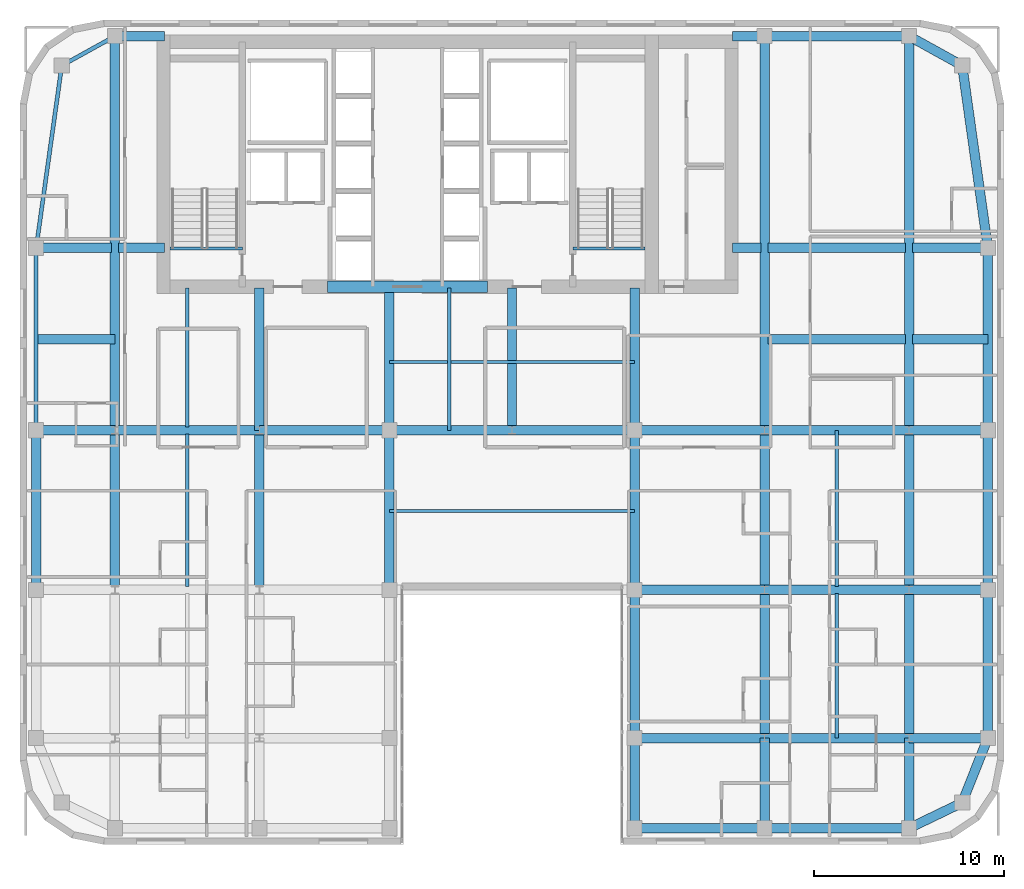
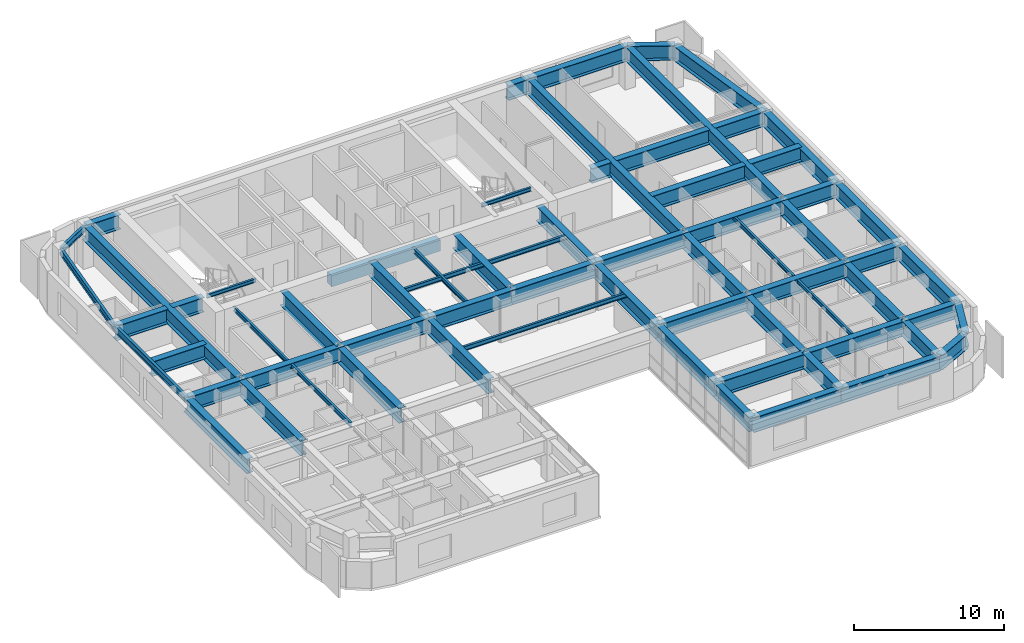
# One storey, part 5 of 14: 67 beams.
"""IFC4 building model written with IfcOpenShell, lengths in metres."""

from ifc_helpers import new_model, si_unit, direction, frame, origin, origin_2d, place, context, subcontext, project, spatial, rectangle, i_section, extrude, source, transform, mapped, material, material_profile, profile_set, type_object, type_shapes, element, save


model = new_model("IFC4")

# Units and contexts
model_context = context("Model", 3, precision=1e-05, world=origin(), true_north=direction((0.0, 1.0)))
body_context = subcontext(model_context, "Body", "Model", "MODEL_VIEW")
ifc_project = project(units=[si_unit("LENGTHUNIT", "METRE"), si_unit("AREAUNIT", "SQUARE_METRE"), si_unit("VOLUMEUNIT", "CUBIC_METRE"), si_unit("PLANEANGLEUNIT", "RADIAN"), si_unit("MASSUNIT", "GRAM", prefix="KILO")], contexts=[model_context])

# Site, building, storey
site_placement = place(None, origin())
site = spatial("IfcSite", under=ifc_project, at=site_placement, CompositionType="ELEMENT")
building_placement = place(site_placement, origin())
building = spatial("IfcBuilding", under=site, at=building_placement, Name="Tolvann Quenvar Hotel", CompositionType="ELEMENT")
storey_placement = place(building_placement, frame((0.0, 0.0, 150.60009765625)))
storey = spatial("IfcBuildingStorey", under=building, at=storey_placement, Name="L39", CompositionType="ELEMENT", Elevation=150.60009765625)

# Beams
ifc_material_1 = material(Name="Concrete N50 (50 MPa)", Category="concrete")
ifc_material_profile_1 = material_profile(ifc_material_1, rectangle(XDim=0.60009765625, YDim=0.89990234375, at=origin_2d()), Name="RC600x900")
ifc_profile_set_1 = profile_set([ifc_material_profile_1], Name="Concrete N50 (50 MPa)")
beam_type_1 = type_object("IfcBeamType", Name="BM_LINT_RC600x900", PredefinedType="LINTEL", material=ifc_profile_set_1)
shared_shape_1 = source(origin(), body_context, "Body", "SweptSolid", [
    extrude(rectangle(XDim=0.60009765625, YDim=0.89990234375, at=origin_2d()), origin(), (0.0, 0.0, 1.0), 8.39990234375),
])
type_shapes(beam_type_1, [shared_shape_1])
beam_1_placement = place(storey_placement, frame((18.800048828125, 31.949951171875, 2.919921875), z_axis=(1.0, 0.0, 0.0), x_axis=(0.0, 1.0, 0.0)))
element("IfcBeam", 1, at=beam_1_placement, inside=storey, type_object=beam_type_1, Name="Core Coupling Lintel Beam (L39)", PredefinedType="LINTEL", context=body_context, shape_type="MappedRepresentation", body=[
    mapped(shared_shape_1, transform((0.0, 0.0, 0.0), x_axis=(1.0, 0.0, 0.0), y_axis=(0.0, 1.0, 0.0), z_axis=(0.0, 0.0, 1.0), scale=1.0)),
])
ifc_material_2 = material(Name="Steel Grade 350", Category="steel")
ifc_material_profile_2 = material_profile(ifc_material_2, i_section(OverallWidth=0.5, OverallDepth=1.199951171875, WebThickness=0.01611328125, FlangeThickness=0.0400390625, at=origin_2d()), Name="1200WB455")
ifc_profile_set_2 = profile_set([ifc_material_profile_2], Name="Steel Grade 350")
beam_type_2 = type_object("IfcBeamType", Name="BM_TG_1200WB455", PredefinedType="USERDEFINED", material=ifc_profile_set_2)
shared_shape_2 = source(origin(), body_context, "Body", "SweptSolid", [
    extrude(i_section(OverallWidth=0.5, OverallDepth=1.199951171875, WebThickness=0.01611328125, FlangeThickness=0.0400390625, at=origin_2d()), origin(), (0.0, 0.0, 1.0), 7.5),
])
for number, where, z_axis, x_axis, name in (
    (2, (15.199951171875, 24.39990234375, 2.77001953125), (0.0, 1.0, 0.0), (-1.0, 0.0, 0.0), "BM-L39-CORE-D5"),
    (3, (22.050048828125, 24.39990234375, 2.77001953125), (0.0, 1.0, 0.0), (-1.0, 0.0, 0.0), "BM-L39-CORE-E5"),
    (4, (34.949951171875, 24.39990234375, 2.77001953125), (0.0, 1.0, 0.0), (-1.0, 0.0, 0.0), "BM-L39-CORE-F5"),
    (5, (28.5, 24.39990234375, 2.77001953125), (0.0, 1.0, 0.0), (-1.0, 0.0, 0.0), "BM-L39-CORE-M5"),
):
    element("IfcBeam", number, at=place(storey_placement, frame(where, z_axis=z_axis, x_axis=x_axis)), inside=storey, type_object=beam_type_2, Name=name, ObjectType="TRANSFER GIRDER", PredefinedType="USERDEFINED", context=body_context, shape_type="MappedRepresentation", body=[
        mapped(shared_shape_2, transform((0.0, 0.0, 0.0), x_axis=(1.0, 0.0, 0.0), y_axis=(0.0, 1.0, 0.0), z_axis=(0.0, 0.0, 1.0), scale=1.0)),
    ])
shared_shape_3 = source(origin(), body_context, "Body", "SweptSolid", [
    extrude(i_section(OverallWidth=0.5, OverallDepth=1.199951171875, WebThickness=0.01611328125, FlangeThickness=0.0400390625, at=origin_2d()), origin(), (0.0, 0.0, 1.0), 7.599853515625),
])
for number, where, z_axis, x_axis, name in (
    (6, (41.800048828125, 3.449951171875, 2.77001953125), (1.0, 0.0, 0.0), (0.0, 1.0, 0.0), "BM-L39-EW-2-H2-I2"),
    (7, (41.800048828125, 8.199951171875, 2.77001953125), (1.0, 0.0, 0.0), (0.0, 1.0, 0.0), "BM-L39-EW-3-H3-I3"),
    (8, (41.800048828125, 16.0, 2.77001953125), (1.0, 0.0, 0.0), (0.0, 1.0, 0.0), "BM-L39-EW-4-H4-I4"),
    (9, (7.60009765625, 24.39990234375, 2.77001953125), (1.0, 0.0, 0.0), (0.0, 1.0, 0.0), "BM-L39-EW-5-C5-D5"),
    (10, (41.800048828125, 24.39990234375, 2.77001953125), (1.0, 0.0, 0.0), (0.0, 1.0, 0.0), "BM-L39-EW-5-H5-I5"),
    (11, (49.39990234375, 45.14990234375, 2.77001953125), (-1.0, 0.0, 0.0), (0.0, -1.0, 0.0), "BM-L39-FLK-E4"),
):
    element("IfcBeam", number, at=place(storey_placement, frame(where, z_axis=z_axis, x_axis=x_axis)), inside=storey, type_object=beam_type_2, Name=name, ObjectType="TRANSFER GIRDER", PredefinedType="USERDEFINED", context=body_context, shape_type="MappedRepresentation", body=[
        mapped(shared_shape_3, transform((0.0, 0.0, 0.0), x_axis=(1.0, 0.0, 0.0), y_axis=(0.0, 1.0, 0.0), z_axis=(0.0, 0.0, 1.0), scale=1.0)),
    ])
shared_shape_4 = source(origin(), body_context, "Body", "SweptSolid", [
    extrude(i_section(OverallWidth=0.5, OverallDepth=1.199951171875, WebThickness=0.01611328125, FlangeThickness=0.0400390625, at=origin_2d()), origin(), (0.0, 0.0, 1.0), 6.449951171875),
])
for number, where, z_axis, x_axis, name in (
    (12, (22.050048828125, 24.39990234375, 2.77001953125), (1.0, 0.0, 0.0), (0.0, 1.0, 0.0), "BM-L39-EW-5-E5-M5"),
    (13, (28.5, 24.39990234375, 2.77001953125), (1.0, 0.0, 0.0), (0.0, 1.0, 0.0), "BM-L39-EW-5-M5-F5"),
):
    element("IfcBeam", number, at=place(storey_placement, frame(where, z_axis=z_axis, x_axis=x_axis)), inside=storey, type_object=beam_type_2, Name=name, ObjectType="TRANSFER GIRDER", PredefinedType="USERDEFINED", context=body_context, shape_type="MappedRepresentation", body=[
        mapped(shared_shape_4, transform((0.0, 0.0, 0.0), x_axis=(1.0, 0.0, 0.0), y_axis=(0.0, 1.0, 0.0), z_axis=(0.0, 0.0, 1.0), scale=1.0)),
    ])
shared_shape_5 = source(origin(), body_context, "Body", "SweptSolid", [
    extrude(i_section(OverallWidth=0.5, OverallDepth=1.199951171875, WebThickness=0.01611328125, FlangeThickness=0.0400390625, at=origin_2d()), origin(), (0.0, 0.0, 1.0), 9.60009765625),
])
beam_2_placement = place(storey_placement, frame((53.550048828125, 24.39990234375, 2.77001953125), z_axis=(0.0, 1.0, 0.0), x_axis=(-1.0, 0.0, 0.0)))
element("IfcBeam", 14, at=beam_2_placement, inside=storey, type_object=beam_type_2, Name="BM-L39-FLK-E1", ObjectType="TRANSFER GIRDER", PredefinedType="USERDEFINED", context=body_context, shape_type="MappedRepresentation", body=[
    mapped(shared_shape_5, transform((0.0, 0.0, 0.0), x_axis=(1.0, 0.0, 0.0), y_axis=(0.0, 1.0, 0.0), z_axis=(0.0, 0.0, 1.0), scale=1.0)),
])
ifc_material_profile_3 = material_profile(ifc_material_2, i_section(OverallWidth=0.208984375, OverallDepth=0.528076171875, WebThickness=0.009521484375, FlangeThickness=0.01318359375, FilletRadius=0.013916015625, at=origin_2d()), Name="530UB82")
ifc_profile_set_3 = profile_set([ifc_material_profile_3], Name="Steel Grade 350")
beam_type_3 = type_object("IfcBeamType", Name="BM_SPAND_530UB82", PredefinedType="SPANDREL", material=ifc_profile_set_3)
shared_shape_6 = source(origin(), body_context, "Body", "SweptSolid", [
    extrude(i_section(OverallWidth=0.208984375, OverallDepth=0.528076171875, WebThickness=0.009521484375, FlangeThickness=0.01318359375, FilletRadius=0.013916015625, at=origin_2d()), origin(), (0.0, 0.0, 1.0), 9.60009765625),
])
beam_3_placement = place(storey_placement, frame((3.449951171875, 24.39990234375, 3.10595703125), z_axis=(0.0, 1.0, 0.0), x_axis=(-1.0, 0.0, 0.0)))
element("IfcBeam", 15, at=beam_3_placement, inside=storey, type_object=beam_type_3, Name="BM-L39-FLK-W1", PredefinedType="SPANDREL", context=body_context, shape_type="MappedRepresentation", body=[
    mapped(shared_shape_6, transform((0.0, 0.0, 0.0), x_axis=(1.0, 0.0, 0.0), y_axis=(0.0, 1.0, 0.0), z_axis=(0.0, 0.0, 1.0), scale=1.0)),
])
shared_shape_7 = source(origin(), body_context, "Body", "SweptSolid", [
    extrude(i_section(OverallWidth=0.5, OverallDepth=1.199951171875, WebThickness=0.01611328125, FlangeThickness=0.0400390625, at=origin_2d()), origin(), (0.0, 0.0, 1.0), 20.75),
])
for number, where, z_axis, x_axis, name in (
    (16, (7.60009765625, 24.39990234375, 2.77001953125), (0.0, 1.0, 0.0), (-1.0, 0.0, 0.0), "BM-L39-FLK-WC"),
    (17, (41.800048828125, 24.39990234375, 2.77001953125), (0.0, 1.0, 0.0), (-1.0, 0.0, 0.0), "BM-L39-FLK-EH"),
    (18, (49.39990234375, 24.39990234375, 2.77001953125), (0.0, 1.0, 0.0), (-1.0, 0.0, 0.0), "BM-L39-FLK-EI"),
):
    element("IfcBeam", number, at=place(storey_placement, frame(where, z_axis=z_axis, x_axis=x_axis)), inside=storey, type_object=beam_type_2, Name=name, ObjectType="TRANSFER GIRDER", PredefinedType="USERDEFINED", context=body_context, shape_type="MappedRepresentation", body=[
        mapped(shared_shape_7, transform((0.0, 0.0, 0.0), x_axis=(1.0, 0.0, 0.0), y_axis=(0.0, 1.0, 0.0), z_axis=(0.0, 0.0, 1.0), scale=1.0)),
    ])
shared_shape_8 = source(origin(), body_context, "Body", "SweptSolid", [
    extrude(i_section(OverallWidth=0.5, OverallDepth=1.199951171875, WebThickness=0.01611328125, FlangeThickness=0.0400390625, at=origin_2d()), origin(), (0.0, 0.0, 1.0), 2.419921875),
])
beam_4_placement = place(storey_placement, frame((7.780029296875, 34.0, 2.77001953125), z_axis=(1.0, 0.0, 0.0), x_axis=(0.0, 1.0, 0.0)))
element("IfcBeam", 19, at=beam_4_placement, inside=storey, type_object=beam_type_2, Name="BM-L39-CTW-MID2", ObjectType="TRANSFER GIRDER", PredefinedType="USERDEFINED", context=body_context, shape_type="MappedRepresentation", body=[
    mapped(shared_shape_8, transform((0.0, 0.0, 0.0), x_axis=(1.0, 0.0, 0.0), y_axis=(0.0, 1.0, 0.0), z_axis=(0.0, 0.0, 1.0), scale=1.0)),
])
shared_shape_9 = source(origin(), body_context, "Body", "SweptSolid", [
    extrude(i_section(OverallWidth=0.5, OverallDepth=1.199951171875, WebThickness=0.01611328125, FlangeThickness=0.0400390625, at=origin_2d()), origin(), (0.0, 0.0, 1.0), 2.599853515625),
])
beam_5_placement = place(storey_placement, frame((7.60009765625, 45.14990234375, 2.77001953125), z_axis=(1.0, 0.0, 0.0), x_axis=(0.0, 1.0, 0.0)))
element("IfcBeam", 20, at=beam_5_placement, inside=storey, type_object=beam_type_2, Name="BM-L39-CTW-CN", ObjectType="TRANSFER GIRDER", PredefinedType="USERDEFINED", context=body_context, shape_type="MappedRepresentation", body=[
    mapped(shared_shape_9, transform((0.0, 0.0, 0.0), x_axis=(1.0, 0.0, 0.0), y_axis=(0.0, 1.0, 0.0), z_axis=(0.0, 0.0, 1.0), scale=1.0)),
])
shared_shape_10 = source(origin(), body_context, "Body", "SweptSolid", [
    extrude(i_section(OverallWidth=0.5, OverallDepth=1.199951171875, WebThickness=0.01611328125, FlangeThickness=0.0400390625, at=origin_2d()), origin(), (0.0, 0.0, 1.0), 1.699951171875),
])
beam_6_placement = place(storey_placement, frame((40.10009765625, 45.14990234375, 2.77001953125), z_axis=(1.0, 0.0, 0.0), x_axis=(0.0, 1.0, 0.0)))
element("IfcBeam", 21, at=beam_6_placement, inside=storey, type_object=beam_type_2, Name="BM-L39-CTE-HN", ObjectType="TRANSFER GIRDER", PredefinedType="USERDEFINED", context=body_context, shape_type="MappedRepresentation", body=[
    mapped(shared_shape_10, transform((0.0, 0.0, 0.0), x_axis=(1.0, 0.0, 0.0), y_axis=(0.0, 1.0, 0.0), z_axis=(0.0, 0.0, 1.0), scale=1.0)),
])
shared_shape_11 = source(origin(), body_context, "Body", "SweptSolid", [
    extrude(i_section(OverallWidth=0.5, OverallDepth=1.199951171875, WebThickness=0.01611328125, FlangeThickness=0.0400390625, at=origin_2d()), origin(), (0.0, 0.0, 1.0), 1.52001953125),
])
beam_7_placement = place(storey_placement, frame((40.10009765625, 34.0, 2.77001953125), z_axis=(1.0, 0.0, 0.0), x_axis=(0.0, 1.0, 0.0)))
element("IfcBeam", 22, at=beam_7_placement, inside=storey, type_object=beam_type_2, Name="BM-L39-CTE-JD6A", ObjectType="TRANSFER GIRDER", PredefinedType="USERDEFINED", context=body_context, shape_type="MappedRepresentation", body=[
    mapped(shared_shape_11, transform((0.0, 0.0, 0.0), x_axis=(1.0, 0.0, 0.0), y_axis=(0.0, 1.0, 0.0), z_axis=(0.0, 0.0, 1.0), scale=1.0)),
])
shared_shape_12 = source(origin(), body_context, "Body", "SweptSolid", [
    extrude(i_section(OverallWidth=0.5, OverallDepth=1.199951171875, WebThickness=0.01611328125, FlangeThickness=0.0400390625, at=origin_2d()), origin(), (0.0, 0.0, 1.0), 7.239990234375),
])
for number, where, z_axis, x_axis, name in (
    (23, (41.97998046875, 34.0, 2.77001953125), (1.0, 0.0, 0.0), (0.0, 1.0, 0.0), "BM-L39-CTE-JD6B"),
    (24, (41.97998046875, 29.199951171875, 2.77001953125), (1.0, 0.0, 0.0), (0.0, 1.0, 0.0), "BM-L39-EW-HI29"),
):
    element("IfcBeam", number, at=place(storey_placement, frame(where, z_axis=z_axis, x_axis=x_axis)), inside=storey, type_object=beam_type_2, Name=name, ObjectType="TRANSFER GIRDER", PredefinedType="USERDEFINED", context=body_context, shape_type="MappedRepresentation", body=[
        mapped(shared_shape_12, transform((0.0, 0.0, 0.0), x_axis=(1.0, 0.0, 0.0), y_axis=(0.0, 1.0, 0.0), z_axis=(0.0, 0.0, 1.0), scale=1.0)),
    ])
ifc_material_profile_4 = material_profile(ifc_material_2, i_section(OverallWidth=0.166015625, OverallDepth=0.306884765625, WebThickness=0.006591796875, FlangeThickness=0.01171875, FilletRadius=0.011474609375, at=origin_2d()), Name="310UB46")
ifc_profile_set_4 = profile_set([ifc_material_profile_4], Name="Steel Grade 350")
beam_type_4 = type_object("IfcBeamType", Name="BM_JOIST_310UB46", PredefinedType="JOIST", material=ifc_profile_set_4)
shared_shape_13 = source(origin(), body_context, "Body", "SweptSolid", [
    extrude(i_section(OverallWidth=0.166015625, OverallDepth=0.306884765625, WebThickness=0.006591796875, FlangeThickness=0.01171875, FilletRadius=0.011474609375, at=origin_2d()), origin(), (0.0, 0.0, 1.0), 3.800048828125),
])
type_shapes(beam_type_4, [shared_shape_13])
for number, where, z_axis, x_axis, name in (
    (25, (10.5, 33.97998046875, 3.21630859375), (1.0, 0.0, 0.0), (0.0, 1.0, 0.0), "BM-HDR-STC1-L40"),
    (26, (31.699951171875, 33.97998046875, 3.21630859375), (1.0, 0.0, 0.0), (0.0, 1.0, 0.0), "BM-HDR-STC2-L40"),
):
    element("IfcBeam", number, at=place(storey_placement, frame(where, z_axis=z_axis, x_axis=x_axis)), inside=storey, type_object=beam_type_4, Name=name, PredefinedType="JOIST", context=body_context, shape_type="MappedRepresentation", body=[
        mapped(shared_shape_13, transform((0.0, 0.0, 0.0), x_axis=(1.0, 0.0, 0.0), y_axis=(0.0, 1.0, 0.0), z_axis=(0.0, 0.0, 1.0), scale=1.0)),
    ])
shared_shape_14 = source(origin(), body_context, "Body", "SweptSolid", [
    extrude(i_section(OverallWidth=0.5, OverallDepth=1.199951171875, WebThickness=0.01611328125, FlangeThickness=0.0400390625, at=origin_2d()), origin(), (0.0, 0.0, 1.0), 4.150146484375),
])
for number, where, z_axis, x_axis, name in (
    (27, (49.39990234375, 8.199951171875, 2.77001953125), (1.0, 0.0, 0.0), (0.0, 1.0, 0.0), "BM-L39-EW-3-I3-J3"),
    (28, (49.39990234375, 16.0, 2.77001953125), (1.0, 0.0, 0.0), (0.0, 1.0, 0.0), "BM-L39-EW-4-I4-J4"),
    (29, (3.449951171875, 24.39990234375, 2.77001953125), (1.0, 0.0, 0.0), (0.0, 1.0, 0.0), "BM-L39-EW-5-B5-C5"),
    (30, (49.39990234375, 24.39990234375, 2.77001953125), (1.0, 0.0, 0.0), (0.0, 1.0, 0.0), "BM-L39-EW-5-I5-J5"),
    (31, (3.449951171875, 29.199951171875, 2.77001953125), (1.0, 0.0, 0.0), (0.0, 1.0, 0.0), "BM-L39-EW-BC29"),
):
    element("IfcBeam", number, at=place(storey_placement, frame(where, z_axis=z_axis, x_axis=x_axis)), inside=storey, type_object=beam_type_2, Name=name, ObjectType="TRANSFER GIRDER", PredefinedType="USERDEFINED", context=body_context, shape_type="MappedRepresentation", body=[
        mapped(shared_shape_14, transform((0.0, 0.0, 0.0), x_axis=(1.0, 0.0, 0.0), y_axis=(0.0, 1.0, 0.0), z_axis=(0.0, 0.0, 1.0), scale=1.0)),
    ])
shared_shape_15 = source(origin(), body_context, "Body", "SweptSolid", [
    extrude(i_section(OverallWidth=0.5, OverallDepth=1.199951171875, WebThickness=0.01611328125, FlangeThickness=0.0400390625, at=origin_2d()), origin(), (0.0, 0.0, 1.0), 7.800048828125),
])
for number, where, z_axis, x_axis, name in (
    (32, (34.949951171875, 8.199951171875, 2.77001953125), (0.0, 1.0, 0.0), (-1.0, 0.0, 0.0), "BM-L39-NS-F3-F4"),
    (33, (41.800048828125, 8.199951171875, 2.77001953125), (0.0, 1.0, 0.0), (-1.0, 0.0, 0.0), "BM-L39-NS-H3-H4"),
    (34, (49.39990234375, 8.199951171875, 2.77001953125), (0.0, 1.0, 0.0), (-1.0, 0.0, 0.0), "BM-L39-NS-I3-I4"),
    (35, (53.550048828125, 8.199951171875, 2.77001953125), (0.0, 1.0, 0.0), (-1.0, 0.0, 0.0), "BM-L39-NS-J3-J4"),
):
    element("IfcBeam", number, at=place(storey_placement, frame(where, z_axis=z_axis, x_axis=x_axis)), inside=storey, type_object=beam_type_2, Name=name, ObjectType="TRANSFER GIRDER", PredefinedType="USERDEFINED", context=body_context, shape_type="MappedRepresentation", body=[
        mapped(shared_shape_15, transform((0.0, 0.0, 0.0), x_axis=(1.0, 0.0, 0.0), y_axis=(0.0, 1.0, 0.0), z_axis=(0.0, 0.0, 1.0), scale=1.0)),
    ])
shared_shape_16 = source(origin(), body_context, "Body", "SweptSolid", [
    extrude(i_section(OverallWidth=0.5, OverallDepth=1.199951171875, WebThickness=0.01611328125, FlangeThickness=0.0400390625, at=origin_2d()), origin(), (0.0, 0.0, 1.0), 6.85009765625),
])
for number, where, z_axis, x_axis, name in (
    (36, (34.949951171875, 3.449951171875, 2.77001953125), (1.0, 0.0, 0.0), (0.0, 1.0, 0.0), "BM-L39-EW-2-F2-H2"),
    (37, (34.949951171875, 8.199951171875, 2.77001953125), (1.0, 0.0, 0.0), (0.0, 1.0, 0.0), "BM-L39-EW-3-F3-H3"),
    (38, (34.949951171875, 16.0, 2.77001953125), (1.0, 0.0, 0.0), (0.0, 1.0, 0.0), "BM-L39-EW-4-F4-H4"),
    (39, (15.199951171875, 24.39990234375, 2.77001953125), (1.0, 0.0, 0.0), (0.0, 1.0, 0.0), "BM-L39-EW-5-D5-E5"),
    (40, (34.949951171875, 24.39990234375, 2.77001953125), (1.0, 0.0, 0.0), (0.0, 1.0, 0.0), "BM-L39-EW-5-F5-H5"),
):
    element("IfcBeam", number, at=place(storey_placement, frame(where, z_axis=z_axis, x_axis=x_axis)), inside=storey, type_object=beam_type_2, Name=name, ObjectType="TRANSFER GIRDER", PredefinedType="USERDEFINED", context=body_context, shape_type="MappedRepresentation", body=[
        mapped(shared_shape_16, transform((0.0, 0.0, 0.0), x_axis=(1.0, 0.0, 0.0), y_axis=(0.0, 1.0, 0.0), z_axis=(0.0, 0.0, 1.0), scale=1.0)),
    ])
shared_shape_17 = source(origin(), body_context, "Body", "SweptSolid", [
    extrude(i_section(OverallWidth=0.5, OverallDepth=1.199951171875, WebThickness=0.01611328125, FlangeThickness=0.0400390625, at=origin_2d()), origin(), (0.0, 0.0, 1.0), 8.39990234375),
])
for number, where, z_axis, x_axis, name in (
    (41, (3.449951171875, 16.0, 2.77001953125), (0.0, 1.0, 0.0), (-1.0, 0.0, 0.0), "BM-L39-NS-B4-B5"),
    (42, (7.60009765625, 16.0, 2.77001953125), (0.0, 1.0, 0.0), (-1.0, 0.0, 0.0), "BM-L39-NS-C4-C5"),
    (43, (15.199951171875, 16.0, 2.77001953125), (0.0, 1.0, 0.0), (-1.0, 0.0, 0.0), "BM-L39-NS-D4-D5"),
    (44, (22.050048828125, 16.0, 2.77001953125), (0.0, 1.0, 0.0), (-1.0, 0.0, 0.0), "BM-L39-NS-E4-E5"),
    (45, (34.949951171875, 16.0, 2.77001953125), (0.0, 1.0, 0.0), (-1.0, 0.0, 0.0), "BM-L39-NS-F4-F5"),
    (46, (41.800048828125, 16.0, 2.77001953125), (0.0, 1.0, 0.0), (-1.0, 0.0, 0.0), "BM-L39-NS-H4-H5"),
    (47, (49.39990234375, 16.0, 2.77001953125), (0.0, 1.0, 0.0), (-1.0, 0.0, 0.0), "BM-L39-NS-I4-I5"),
    (48, (53.550048828125, 16.0, 2.77001953125), (0.0, 1.0, 0.0), (-1.0, 0.0, 0.0), "BM-L39-NS-J4-J5"),
):
    element("IfcBeam", number, at=place(storey_placement, frame(where, z_axis=z_axis, x_axis=x_axis)), inside=storey, type_object=beam_type_2, Name=name, ObjectType="TRANSFER GIRDER", PredefinedType="USERDEFINED", context=body_context, shape_type="MappedRepresentation", body=[
        mapped(shared_shape_17, transform((0.0, 0.0, 0.0), x_axis=(1.0, 0.0, 0.0), y_axis=(0.0, 1.0, 0.0), z_axis=(0.0, 0.0, 1.0), scale=1.0)),
    ])
shared_shape_18 = source(origin(), body_context, "Body", "SweptSolid", [
    extrude(i_section(OverallWidth=0.5, OverallDepth=1.199951171875, WebThickness=0.01611328125, FlangeThickness=0.0400390625, at=origin_2d()), origin(), (0.0, 0.0, 1.0), 3.108642578125),
])
beam_8_placement = place(storey_placement, frame((49.39990234375, 3.449951171875, 2.77001953125), z_axis=(0.900759354066, 0.434318530646, 0.0), x_axis=(-0.434318530646, 0.900759354066, 0.0)))
element("IfcBeam", 49, at=beam_8_placement, inside=storey, type_object=beam_type_2, Name="BM-L39-EW-2-I2-J2", ObjectType="TRANSFER GIRDER", PredefinedType="USERDEFINED", context=body_context, shape_type="MappedRepresentation", body=[
    mapped(shared_shape_18, transform((0.0, 0.0, 0.0), x_axis=(1.0, 0.0, 0.0), y_axis=(0.0, 1.0, 0.0), z_axis=(0.0, 0.0, 1.0), scale=1.0)),
])
shared_shape_19 = source(origin(), body_context, "Body", "SweptSolid", [
    extrude(i_section(OverallWidth=0.5, OverallDepth=1.199951171875, WebThickness=0.01611328125, FlangeThickness=0.0400390625, at=origin_2d()), origin(), (0.0, 0.0, 1.0), 3.658203125),
])
beam_9_placement = place(storey_placement, frame((52.199951171875, 4.800048828125, 2.77001953125), z_axis=(0.369065163807, 0.929403521009, 0.0), x_axis=(-0.929403521009, 0.369065163807, 0.0)))
element("IfcBeam", 50, at=beam_9_placement, inside=storey, type_object=beam_type_2, Name="BM-L39-NS-J2-J3", ObjectType="TRANSFER GIRDER", PredefinedType="USERDEFINED", context=body_context, shape_type="MappedRepresentation", body=[
    mapped(shared_shape_19, transform((0.0, 0.0, 0.0), x_axis=(1.0, 0.0, 0.0), y_axis=(0.0, 1.0, 0.0), z_axis=(0.0, 0.0, 1.0), scale=1.0)),
])
shared_shape_20 = source(origin(), body_context, "Body", "SweptSolid", [
    extrude(i_section(OverallWidth=0.5, OverallDepth=1.199951171875, WebThickness=0.01611328125, FlangeThickness=0.0400390625, at=origin_2d()), origin(), (0.0, 0.0, 1.0), 4.75),
])
for number, where, z_axis, x_axis, name in (
    (51, (34.949951171875, 3.449951171875, 2.77001953125), (0.0, 1.0, 0.0), (-1.0, 0.0, 0.0), "BM-L39-NS-F2-F3"),
    (52, (41.800048828125, 3.449951171875, 2.77001953125), (0.0, 1.0, 0.0), (-1.0, 0.0, 0.0), "BM-L39-NS-H2-H3"),
    (53, (49.39990234375, 3.449951171875, 2.77001953125), (0.0, 1.0, 0.0), (-1.0, 0.0, 0.0), "BM-L39-NS-I2-I3"),
):
    element("IfcBeam", number, at=place(storey_placement, frame(where, z_axis=z_axis, x_axis=x_axis)), inside=storey, type_object=beam_type_2, Name=name, ObjectType="TRANSFER GIRDER", PredefinedType="USERDEFINED", context=body_context, shape_type="MappedRepresentation", body=[
        mapped(shared_shape_20, transform((0.0, 0.0, 0.0), x_axis=(1.0, 0.0, 0.0), y_axis=(0.0, 1.0, 0.0), z_axis=(0.0, 0.0, 1.0), scale=1.0)),
    ])
shared_shape_21 = source(origin(), body_context, "Body", "SweptSolid", [
    extrude(i_section(OverallWidth=0.208984375, OverallDepth=0.528076171875, WebThickness=0.009521484375, FlangeThickness=0.01318359375, FilletRadius=0.013916015625, at=origin_2d()), origin(), (0.0, 0.0, 1.0), 9.694580078125),
])
beam_10_placement = place(storey_placement, frame((3.449951171875, 34.0, 3.10595703125), z_axis=(0.139263320262, 0.990255385055, 0.0), x_axis=(-0.990255385055, 0.139263320262, 0.0)))
element("IfcBeam", 54, at=beam_10_placement, inside=storey, type_object=beam_type_3, Name="BM-L39-FLK-W2", PredefinedType="SPANDREL", context=body_context, shape_type="MappedRepresentation", body=[
    mapped(shared_shape_21, transform((0.0, 0.0, 0.0), x_axis=(1.0, 0.0, 0.0), y_axis=(0.0, 1.0, 0.0), z_axis=(0.0, 0.0, 1.0), scale=1.0)),
])
shared_shape_22 = source(origin(), body_context, "Body", "SweptSolid", [
    extrude(i_section(OverallWidth=0.208984375, OverallDepth=0.528076171875, WebThickness=0.009521484375, FlangeThickness=0.01318359375, FilletRadius=0.013916015625, at=origin_2d()), origin(), (0.0, 0.0, 1.0), 3.200439453125),
])
type_shapes(beam_type_3, [shared_shape_6, shared_shape_21, shared_shape_22])
beam_11_placement = place(storey_placement, frame((4.800048828125, 43.60009765625, 3.10595703125), z_axis=(0.87492264453, 0.48426270359, 0.0), x_axis=(-0.48426270359, 0.87492264453, 0.0)))
element("IfcBeam", 55, at=beam_11_placement, inside=storey, type_object=beam_type_3, Name="BM-L39-FLK-W3", PredefinedType="SPANDREL", context=body_context, shape_type="MappedRepresentation", body=[
    mapped(shared_shape_22, transform((0.0, 0.0, 0.0), x_axis=(1.0, 0.0, 0.0), y_axis=(0.0, 1.0, 0.0), z_axis=(0.0, 0.0, 1.0), scale=1.0)),
])
shared_shape_23 = source(origin(), body_context, "Body", "SweptSolid", [
    extrude(i_section(OverallWidth=0.5, OverallDepth=1.199951171875, WebThickness=0.01611328125, FlangeThickness=0.0400390625, at=origin_2d()), origin(), (0.0, 0.0, 1.0), 3.969970703125),
])
for number, where, z_axis, x_axis, name in (
    (56, (3.449951171875, 34.0, 2.77001953125), (1.0, 0.0, 0.0), (0.0, 1.0, 0.0), "BM-L39-CTW-MID1"),
    (57, (49.580078125, 34.0, 2.77001953125), (1.0, 0.0, 0.0), (0.0, 1.0, 0.0), "BM-L39-CTE-JD6C"),
    (58, (49.580078125, 29.199951171875, 2.77001953125), (1.0, 0.0, 0.0), (0.0, 1.0, 0.0), "BM-L39-EW-IJ29"),
):
    element("IfcBeam", number, at=place(storey_placement, frame(where, z_axis=z_axis, x_axis=x_axis)), inside=storey, type_object=beam_type_2, Name=name, ObjectType="TRANSFER GIRDER", PredefinedType="USERDEFINED", context=body_context, shape_type="MappedRepresentation", body=[
        mapped(shared_shape_23, transform((0.0, 0.0, 0.0), x_axis=(1.0, 0.0, 0.0), y_axis=(0.0, 1.0, 0.0), z_axis=(0.0, 0.0, 1.0), scale=1.0)),
    ])
shared_shape_24 = source(origin(), body_context, "Body", "SweptSolid", [
    extrude(i_section(OverallWidth=0.5, OverallDepth=1.199951171875, WebThickness=0.01611328125, FlangeThickness=0.0400390625, at=origin_2d()), origin(), (0.0, 0.0, 1.0), 9.694580078125),
])
beam_12_placement = place(storey_placement, frame((53.550048828125, 34.0, 2.77001953125), z_axis=(-0.139263320262, 0.990255385055, 0.0), x_axis=(-0.990255385055, -0.139263320262, 0.0)))
element("IfcBeam", 59, at=beam_12_placement, inside=storey, type_object=beam_type_2, Name="BM-L39-FLK-E2", ObjectType="TRANSFER GIRDER", PredefinedType="USERDEFINED", context=body_context, shape_type="MappedRepresentation", body=[
    mapped(shared_shape_24, transform((0.0, 0.0, 0.0), x_axis=(1.0, 0.0, 0.0), y_axis=(0.0, 1.0, 0.0), z_axis=(0.0, 0.0, 1.0), scale=1.0)),
])
shared_shape_25 = source(origin(), body_context, "Body", "SweptSolid", [
    extrude(i_section(OverallWidth=0.5, OverallDepth=1.199951171875, WebThickness=0.01611328125, FlangeThickness=0.0400390625, at=origin_2d()), origin(), (0.0, 0.0, 1.0), 3.200439453125),
])
type_shapes(beam_type_2, [shared_shape_2, shared_shape_3, shared_shape_4, shared_shape_5, shared_shape_7, shared_shape_8, shared_shape_9, shared_shape_10, shared_shape_11, shared_shape_12, shared_shape_14, shared_shape_15, shared_shape_16, shared_shape_17, shared_shape_18, shared_shape_19, shared_shape_20, shared_shape_23, shared_shape_24, shared_shape_25])
beam_13_placement = place(storey_placement, frame((52.199951171875, 43.60009765625, 2.77001953125), z_axis=(-0.87492264453, 0.48426270359, 0.0), x_axis=(-0.48426270359, -0.87492264453, 0.0)))
element("IfcBeam", 60, at=beam_13_placement, inside=storey, type_object=beam_type_2, Name="BM-L39-FLK-E3", ObjectType="TRANSFER GIRDER", PredefinedType="USERDEFINED", context=body_context, shape_type="MappedRepresentation", body=[
    mapped(shared_shape_25, transform((0.0, 0.0, 0.0), x_axis=(1.0, 0.0, 0.0), y_axis=(0.0, 1.0, 0.0), z_axis=(0.0, 0.0, 1.0), scale=1.0)),
])
ifc_material_profile_5 = material_profile(ifc_material_2, i_section(OverallWidth=0.172119140625, OverallDepth=0.35888671875, WebThickness=0.008056640625, FlangeThickness=0.012939453125, FilletRadius=0.011474609375, at=origin_2d()), Name="360UB57")
ifc_profile_set_5 = profile_set([ifc_material_profile_5], Name="Steel Grade 350")
beam_type_5 = type_object("IfcBeamType", Name="BM_JOIST_360UB57", PredefinedType="JOIST", material=ifc_profile_set_5)
shared_shape_26 = source(origin(), body_context, "Body", "SweptSolid", [
    extrude(i_section(OverallWidth=0.172119140625, OverallDepth=0.35888671875, WebThickness=0.008056640625, FlangeThickness=0.012939453125, FilletRadius=0.011474609375, at=origin_2d()), origin(), (0.0, 0.0, 1.0), 12.89990234375),
])
for number, where, z_axis, x_axis, name in (
    (61, (22.050048828125, 20.14990234375, 3.1904296875), (1.0, 0.0, 0.0), (0.0, 1.0, 0.0), "BM-L39-SPINE-20"),
    (62, (22.050048828125, 28.0, 3.1904296875), (1.0, 0.0, 0.0), (0.0, 1.0, 0.0), "BM-L39-SPINE-28"),
):
    element("IfcBeam", number, at=place(storey_placement, frame(where, z_axis=z_axis, x_axis=x_axis)), inside=storey, type_object=beam_type_5, Name=name, PredefinedType="JOIST", context=body_context, shape_type="MappedRepresentation", body=[
        mapped(shared_shape_26, transform((0.0, 0.0, 0.0), x_axis=(1.0, 0.0, 0.0), y_axis=(0.0, 1.0, 0.0), z_axis=(0.0, 0.0, 1.0), scale=1.0)),
    ])
shared_shape_27 = source(origin(), body_context, "Body", "SweptSolid", [
    extrude(i_section(OverallWidth=0.172119140625, OverallDepth=0.35888671875, WebThickness=0.008056640625, FlangeThickness=0.012939453125, FilletRadius=0.011474609375, at=origin_2d()), origin(), (0.0, 0.0, 1.0), 7.614990234375),
])
beam_14_placement = place(storey_placement, frame((45.60009765625, 8.199951171875, 3.1904296875), z_axis=(0.0, 1.0, 0.0), x_axis=(-1.0, 0.0, 0.0)))
element("IfcBeam", 63, at=beam_14_placement, inside=storey, type_object=beam_type_5, Name="BJ-L39-456-82", PredefinedType="JOIST", context=body_context, shape_type="MappedRepresentation", body=[
    mapped(shared_shape_27, transform((0.0, 0.0, 0.0), x_axis=(1.0, 0.0, 0.0), y_axis=(0.0, 1.0, 0.0), z_axis=(0.0, 0.0, 1.0), scale=1.0)),
])
shared_shape_28 = source(origin(), body_context, "Body", "SweptSolid", [
    extrude(i_section(OverallWidth=0.172119140625, OverallDepth=0.35888671875, WebThickness=0.008056640625, FlangeThickness=0.012939453125, FilletRadius=0.011474609375, at=origin_2d()), origin(), (0.0, 0.0, 1.0), 8.030029296875),
])
beam_15_placement = place(storey_placement, frame((11.39990234375, 16.18505859375, 3.1904296875), z_axis=(0.0, 1.0, 0.0), x_axis=(-1.0, 0.0, 0.0)))
element("IfcBeam", 64, at=beam_15_placement, inside=storey, type_object=beam_type_5, Name="BJ-L39-114-160", PredefinedType="JOIST", context=body_context, shape_type="MappedRepresentation", body=[
    mapped(shared_shape_28, transform((0.0, 0.0, 0.0), x_axis=(1.0, 0.0, 0.0), y_axis=(0.0, 1.0, 0.0), z_axis=(0.0, 0.0, 1.0), scale=1.0)),
])
shared_shape_29 = source(origin(), body_context, "Body", "SweptSolid", [
    extrude(i_section(OverallWidth=0.172119140625, OverallDepth=0.35888671875, WebThickness=0.008056640625, FlangeThickness=0.012939453125, FilletRadius=0.011474609375, at=origin_2d()), origin(), (0.0, 0.0, 1.0), 7.31494140625),
])
beam_16_placement = place(storey_placement, frame((11.39990234375, 24.5849609375, 3.1904296875), z_axis=(0.0, 1.0, 0.0), x_axis=(-1.0, 0.0, 0.0)))
element("IfcBeam", 65, at=beam_16_placement, inside=storey, type_object=beam_type_5, Name="BJ-L39-114-244", PredefinedType="JOIST", context=body_context, shape_type="MappedRepresentation", body=[
    mapped(shared_shape_29, transform((0.0, 0.0, 0.0), x_axis=(1.0, 0.0, 0.0), y_axis=(0.0, 1.0, 0.0), z_axis=(0.0, 0.0, 1.0), scale=1.0)),
])
shared_shape_30 = source(origin(), body_context, "Body", "SweptSolid", [
    extrude(i_section(OverallWidth=0.172119140625, OverallDepth=0.35888671875, WebThickness=0.008056640625, FlangeThickness=0.012939453125, FilletRadius=0.011474609375, at=origin_2d()), origin(), (0.0, 0.0, 1.0), 7.5),
])
beam_17_placement = place(storey_placement, frame((25.199951171875, 24.39990234375, 3.1904296875), z_axis=(0.0, 1.0, 0.0), x_axis=(-1.0, 0.0, 0.0)))
element("IfcBeam", 66, at=beam_17_placement, inside=storey, type_object=beam_type_5, Name="BJ-L39-252-244", PredefinedType="JOIST", context=body_context, shape_type="MappedRepresentation", body=[
    mapped(shared_shape_30, transform((0.0, 0.0, 0.0), x_axis=(1.0, 0.0, 0.0), y_axis=(0.0, 1.0, 0.0), z_axis=(0.0, 0.0, 1.0), scale=1.0)),
])
shared_shape_31 = source(origin(), body_context, "Body", "SweptSolid", [
    extrude(i_section(OverallWidth=0.172119140625, OverallDepth=0.35888671875, WebThickness=0.008056640625, FlangeThickness=0.012939453125, FilletRadius=0.011474609375, at=origin_2d()), origin(), (0.0, 0.0, 1.0), 8.21484375),
])
type_shapes(beam_type_5, [shared_shape_26, shared_shape_27, shared_shape_28, shared_shape_29, shared_shape_30, shared_shape_31])
beam_18_placement = place(storey_placement, frame((45.60009765625, 16.18505859375, 3.1904296875), z_axis=(0.0, 1.0, 0.0), x_axis=(-1.0, 0.0, 0.0)))
element("IfcBeam", 67, at=beam_18_placement, inside=storey, type_object=beam_type_5, Name="BJ-L39-456-160", PredefinedType="JOIST", context=body_context, shape_type="MappedRepresentation", body=[
    mapped(shared_shape_31, transform((0.0, 0.0, 0.0), x_axis=(1.0, 0.0, 0.0), y_axis=(0.0, 1.0, 0.0), z_axis=(0.0, 0.0, 1.0), scale=1.0)),
])

save(model, "model.ifc")
